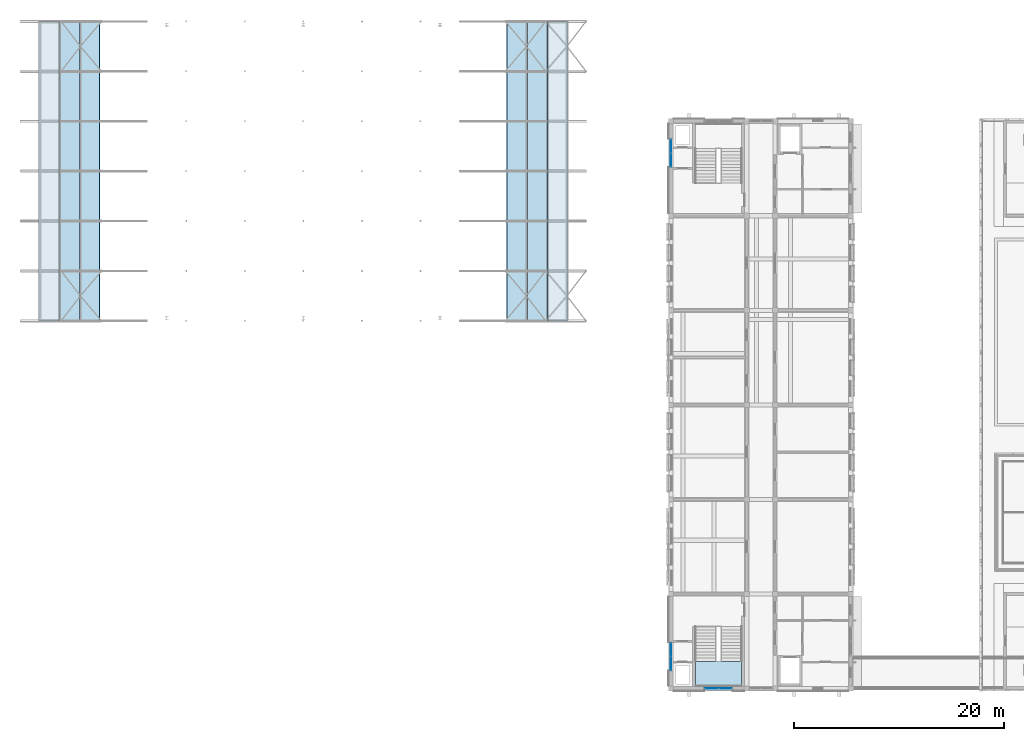
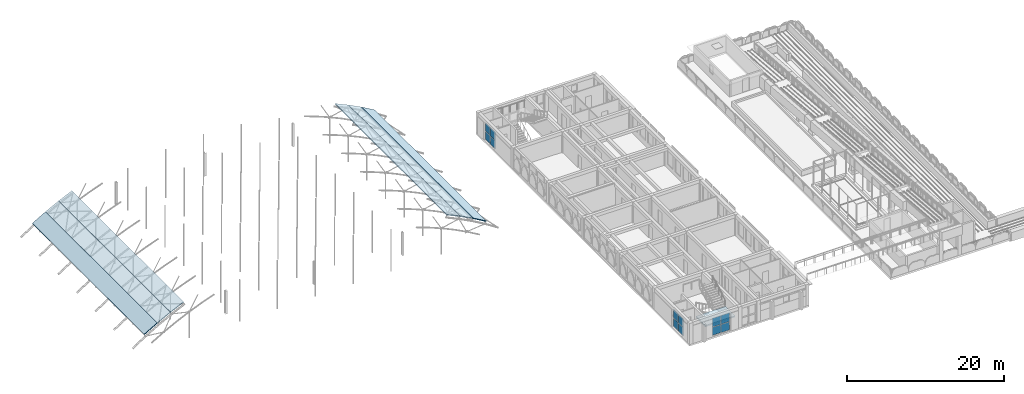
# One storey, part 26 of 50: 12 plates, 7 slabs, 4 elements without a shape of their own.
"""IFC4 building model written with IfcOpenShell, lengths in metres."""

from ifc_helpers import new_model, si_unit, direction, frame, origin, origin_2d, place, context, subcontext, project, spatial, polyline, rectangle, outline, extrude, material, layer, layer_set, type_object, element, aggregate, save


model = new_model("IFC4")

# Units and contexts
model_context = context("Model", 3, precision=1e-05, world=origin(), true_north=direction((0.0, 1.0)))
body_context = subcontext(model_context, "Body", "Model", "MODEL_VIEW")
ifc_project = project(units=[si_unit("LENGTHUNIT", "METRE"), si_unit("AREAUNIT", "SQUARE_METRE"), si_unit("VOLUMEUNIT", "CUBIC_METRE"), si_unit("PLANEANGLEUNIT", "RADIAN"), si_unit("MASSUNIT", "GRAM", prefix="KILO")], contexts=[model_context])

# Site, building, storey
site_placement = place(None, origin())
site = spatial("IfcSite", under=ifc_project, at=site_placement, CompositionType="ELEMENT")
building_placement = place(site_placement, origin())
building = spatial("IfcBuilding", under=site, at=building_placement, Name="Elbe Cascade School", CompositionType="ELEMENT")
storey_placement = place(building_placement, frame((0.0, 0.0, 15.300048828125)))
storey = spatial("IfcBuildingStorey", under=building, at=storey_placement, Name="L04", CompositionType="ELEMENT", Elevation=15.300048828125)

# Stair, slab
ifc_material_1 = material(Name="Concrete C30/37", Category="concrete")
stair_type = type_object("IfcStairType", Name="Bar stair RC 150", PredefinedType="HALF_TURN_STAIR", material=ifc_material_1)
stair_placement = place(storey_placement, origin())
stair = element("IfcStair", 1, at=stair_placement, inside=storey, type_object=stair_type, Name="Stair A4.S", PredefinedType="HALF_TURN_STAIR")
ifc_material_2 = material(Name="Concrete C30/37", Category="concrete")
ifc_layer_1 = layer(ifc_material_2, 0.199951171875)
ifc_layer_set_1 = layer_set([ifc_layer_1], Name="Concrete C30/37")
slab_type_1 = type_object("IfcSlabType", Name="Bar stair landing RC 200", PredefinedType="LANDING", material=ifc_layer_set_1)
slab_1_placement = place(storey_placement, frame((0.0, 0.0, 1.599853515625)))
slab_1 = element("IfcSlab", 2, at=slab_1_placement, type_object=slab_type_1, Name="ST3 landing 1", PredefinedType="LANDING", context=body_context, shape_type="SweptSolid", body=[
    extrude(outline(polyline([(71.300048828125, 6.179931640625), (75.699951171875, 6.179931640625), (75.699951171875, 8.60009765625), (71.300048828125, 8.60009765625), (71.300048828125, 6.179931640625)])), origin(), (0.0, 0.0, 1.0), 0.2001953125),
])
aggregate(stair, [slab_1])

# Curtain wall, plates
ifc_material_3 = material(Name="Aluminium frame with double glazing, bronze anodised", Category="aluminium")
ifc_layer_2 = layer(ifc_material_3, 0.159912109375)
ifc_layer_set_2 = layer_set([ifc_layer_2], Name="Aluminium frame with double glazing, bronze anodised")
curtain_wall_type = type_object("IfcCurtainWallType", Name="Bars envelope Curtain wall, aluminium, bronze anodised, storey-high slot", PredefinedType="NOTDEFINED", material=ifc_layer_set_2)
curtain_wall_1_placement = place(storey_placement, origin())
curtain_wall_1 = element("IfcCurtainWall", 3, at=curtain_wall_1_placement, inside=storey, type_object=curtain_wall_type, Name="Curtain wall CW4 A.L04.w1", PredefinedType="NOTDEFINED")
ifc_material_4 = material(Name="Glass - double glazed low-E", Category="glass")
ifc_layer_3 = layer(ifc_material_4, 0.028076171875)
ifc_layer_set_3 = layer_set([ifc_layer_3], Name="Glass - double glazed low-E")
plate_type = type_object("IfcPlateType", Name="Bars envelope Curtain wall glazing panel 28 mm, double glazed, storey-high slot", PredefinedType="CURTAIN_PANEL", material=ifc_layer_set_3)
plate_1_placement = place(storey_placement, frame((69.0, 8.3798828125, 0.06005859375), z_axis=(0.0, 0.0, 1.0), x_axis=(0.0, 1.0, 0.0)))
plate_1 = element("IfcPlate", 4, at=plate_1_placement, type_object=plate_type, Name="CW4 panel 1.1", PredefinedType="CURTAIN_PANEL", context=body_context, shape_type="SweptSolid", body=[
    extrude(rectangle(XDim=1.260009765625, YDim=0.028076171875, at=origin_2d()), origin(), (0.0, 0.0, 1.0), 1.260009765625),
])
plate_2_placement = place(storey_placement, frame((69.0, 8.3798828125, 1.3798828125), z_axis=(0.0, 0.0, 1.0), x_axis=(0.0, 1.0, 0.0)))
plate_2 = element("IfcPlate", 5, at=plate_2_placement, type_object=plate_type, Name="CW4 panel 1.2", PredefinedType="CURTAIN_PANEL", context=body_context, shape_type="SweptSolid", body=[
    extrude(rectangle(XDim=1.260009765625, YDim=0.028076171875, at=origin_2d()), origin(), (0.0, 0.0, 1.0), 1.31005859375),
])
plate_3_placement = place(storey_placement, frame((69.0, 9.699951171875, 0.06005859375), z_axis=(0.0, 0.0, 1.0), x_axis=(0.0, 1.0, 0.0)))
plate_3 = element("IfcPlate", 6, at=plate_3_placement, type_object=plate_type, Name="CW4 panel 2.1", PredefinedType="CURTAIN_PANEL", context=body_context, shape_type="SweptSolid", body=[
    extrude(rectangle(XDim=1.260009765625, YDim=0.028076171875, at=origin_2d()), origin(), (0.0, 0.0, 1.0), 1.260009765625),
])
plate_4_placement = place(storey_placement, frame((69.0, 9.699951171875, 1.3798828125), z_axis=(0.0, 0.0, 1.0), x_axis=(0.0, 1.0, 0.0)))
plate_4 = element("IfcPlate", 7, at=plate_4_placement, type_object=plate_type, Name="CW4 panel 2.2", PredefinedType="CURTAIN_PANEL", context=body_context, shape_type="SweptSolid", body=[
    extrude(rectangle(XDim=1.260009765625, YDim=0.028076171875, at=origin_2d()), origin(), (0.0, 0.0, 1.0), 1.31005859375),
])
aggregate(curtain_wall_1, [plate_1, plate_2, plate_3, plate_4])

curtain_wall_2_placement = place(storey_placement, origin())
curtain_wall_2 = element("IfcCurtainWall", 8, at=curtain_wall_2_placement, inside=storey, type_object=curtain_wall_type, Name="Curtain wall CW4 A.L04.w6", PredefinedType="NOTDEFINED")
plate_5_placement = place(storey_placement, frame((69.0, 56.300048828125, 0.06005859375), z_axis=(0.0, 0.0, 1.0), x_axis=(0.0, 1.0, 0.0)))
plate_5 = element("IfcPlate", 9, at=plate_5_placement, type_object=plate_type, Name="CW4 panel 1.1", PredefinedType="CURTAIN_PANEL", context=body_context, shape_type="SweptSolid", body=[
    extrude(rectangle(XDim=1.260009765625, YDim=0.028076171875, at=origin_2d()), origin(), (0.0, 0.0, 1.0), 1.260009765625),
])
plate_6_placement = place(storey_placement, frame((69.0, 56.300048828125, 1.3798828125), z_axis=(0.0, 0.0, 1.0), x_axis=(0.0, 1.0, 0.0)))
plate_6 = element("IfcPlate", 10, at=plate_6_placement, type_object=plate_type, Name="CW4 panel 1.2", PredefinedType="CURTAIN_PANEL", context=body_context, shape_type="SweptSolid", body=[
    extrude(rectangle(XDim=1.260009765625, YDim=0.028076171875, at=origin_2d()), origin(), (0.0, 0.0, 1.0), 1.31005859375),
])
plate_7_placement = place(storey_placement, frame((69.0, 57.6201171875, 0.06005859375), z_axis=(0.0, 0.0, 1.0), x_axis=(0.0, 1.0, 0.0)))
plate_7 = element("IfcPlate", 11, at=plate_7_placement, type_object=plate_type, Name="CW4 panel 2.1", PredefinedType="CURTAIN_PANEL", context=body_context, shape_type="SweptSolid", body=[
    extrude(rectangle(XDim=1.260009765625, YDim=0.028076171875, at=origin_2d()), origin(), (0.0, 0.0, 1.0), 1.260009765625),
])
plate_8_placement = place(storey_placement, frame((69.0, 57.6201171875, 1.3798828125), z_axis=(0.0, 0.0, 1.0), x_axis=(0.0, 1.0, 0.0)))
plate_8 = element("IfcPlate", 12, at=plate_8_placement, type_object=plate_type, Name="CW4 panel 2.2", PredefinedType="CURTAIN_PANEL", context=body_context, shape_type="SweptSolid", body=[
    extrude(rectangle(XDim=1.260009765625, YDim=0.028076171875, at=origin_2d()), origin(), (0.0, 0.0, 1.0), 1.31005859375),
])
aggregate(curtain_wall_2, [plate_5, plate_6, plate_7, plate_8])

curtain_wall_3_placement = place(storey_placement, origin())
curtain_wall_3 = element("IfcCurtainWall", 13, at=curtain_wall_3_placement, inside=storey, type_object=curtain_wall_type, Name="Curtain wall CW4 A.L04.s1", PredefinedType="NOTDEFINED")
plate_9_placement = place(storey_placement, frame((74.159912109375, 6.0, 0.06005859375), z_axis=(0.0, 0.0, 1.0), x_axis=(-1.0, 0.0, 0.0)))
plate_9 = element("IfcPlate", 14, at=plate_9_placement, type_object=plate_type, Name="CW4 panel 1.1", PredefinedType="CURTAIN_PANEL", context=body_context, shape_type="SweptSolid", body=[
    extrude(rectangle(XDim=1.260009765625, YDim=0.028076171875, at=origin_2d()), origin(), (0.0, 0.0, 1.0), 1.260009765625),
])
plate_10_placement = place(storey_placement, frame((74.159912109375, 6.0, 1.3798828125), z_axis=(0.0, 0.0, 1.0), x_axis=(-1.0, 0.0, 0.0)))
plate_10 = element("IfcPlate", 15, at=plate_10_placement, type_object=plate_type, Name="CW4 panel 1.2", PredefinedType="CURTAIN_PANEL", context=body_context, shape_type="SweptSolid", body=[
    extrude(rectangle(XDim=1.260009765625, YDim=0.028076171875, at=origin_2d()), origin(), (0.0, 0.0, 1.0), 1.360107421875),
])
plate_11_placement = place(storey_placement, frame((72.840087890625, 6.0, 0.06005859375), z_axis=(0.0, 0.0, 1.0), x_axis=(-1.0, 0.0, 0.0)))
plate_11 = element("IfcPlate", 16, at=plate_11_placement, type_object=plate_type, Name="CW4 panel 2.1", PredefinedType="CURTAIN_PANEL", context=body_context, shape_type="SweptSolid", body=[
    extrude(rectangle(XDim=1.260009765625, YDim=0.028076171875, at=origin_2d()), origin(), (0.0, 0.0, 1.0), 1.260009765625),
])
plate_12_placement = place(storey_placement, frame((72.840087890625, 6.0, 1.3798828125), z_axis=(0.0, 0.0, 1.0), x_axis=(-1.0, 0.0, 0.0)))
plate_12 = element("IfcPlate", 17, at=plate_12_placement, type_object=plate_type, Name="CW4 panel 2.2", PredefinedType="CURTAIN_PANEL", context=body_context, shape_type="SweptSolid", body=[
    extrude(rectangle(XDim=1.260009765625, YDim=0.028076171875, at=origin_2d()), origin(), (0.0, 0.0, 1.0), 1.360107421875),
])
aggregate(curtain_wall_3, [plate_9, plate_10, plate_11, plate_12])

# Slabs
ifc_material_5 = material(Name="Steel S350GD+Z insulated deck", Category="steel")
ifc_layer_4 = layer(ifc_material_5, 0.1201171875)
ifc_layer_set_4 = layer_set([ifc_layer_4], Name="Steel S350GD+Z insulated deck")
slab_type_2 = type_object("IfcSlabType", Name="Hall roof deck insulated steel sheet 120", PredefinedType="ROOF", material=ifc_layer_set_4)
slab_2_placement = place(storey_placement, frame((8.8017578125, 41.0, 1.220458984375), z_axis=(-0.502077562302, 0.0, 0.864822595353), x_axis=(0.864822595353, 0.0, 0.502077562302)))
element("IfcSlab", 18, at=slab_2_placement, inside=storey, type_object=slab_type_2, Name="Roof deck 2", PredefinedType="ROOF", context=body_context, shape_type="SweptSolid", body=[
    extrude(outline(polyline([(0.0, 0.0), (2.235827047524258, 0.0), (2.235827047524258, 28.5), (0.0, 28.5), (0.0, 0.0)])), origin(), (0.0, 0.0, -1.0), 0.1201171875),
])
slab_3_placement = place(storey_placement, frame((10.740234375, 41.0, 2.345703125), z_axis=(-0.461934418837, 0.0, 0.886914084167), x_axis=(0.886914084167, 0.0, 0.461934418837)))
element("IfcSlab", 19, at=slab_3_placement, inside=storey, type_object=slab_type_2, Name="Roof deck 3", PredefinedType="ROOF", context=body_context, shape_type="SweptSolid", body=[
    extrude(outline(polyline([(0.0, 0.0), (2.180136480543206, 0.0), (2.180136480543206, 28.499999999999996), (0.0, 28.499999999999996), (0.0, 0.0)])), origin(), (0.0, 0.0, -1.0), 0.1201171875),
])
for number, where, z_axis, x_axis, name in (
    (20, (12.6787109375, 41.0, 3.35498046875), (-0.421757016083, 0.0, 0.906708894511), (0.906708894511, 0.0, 0.421757016083), "Roof deck 4"),
    (21, (53.3876953125, 41.0, 4.25439453125), (0.421757016083, 0.0, 0.906708894511), (0.906708894511, 0.0, -0.421757016083), "Roof deck 25"),
):
    element("IfcSlab", number, at=place(storey_placement, frame(where, z_axis=z_axis, x_axis=x_axis)), inside=storey, type_object=slab_type_2, Name=name, PredefinedType="ROOF", context=body_context, shape_type="SweptSolid", body=[
        extrude(outline(polyline([(0.0, 0.0), (2.132540842718333, 0.0), (2.132540842718333, 28.5), (0.0, 28.5), (0.0, 0.0)])), origin(), (0.0, 0.0, -1.0), 0.1201171875),
    ])
slab_4_placement = place(storey_placement, frame((55.326171875, 41.0, 3.352783203125), z_axis=(0.461934418837, 0.0, 0.886914084167), x_axis=(0.886914084167, 0.0, -0.461934418837)))
element("IfcSlab", 22, at=slab_4_placement, inside=storey, type_object=slab_type_2, Name="Roof deck 26", PredefinedType="ROOF", context=body_context, shape_type="SweptSolid", body=[
    extrude(outline(polyline([(0.0, 0.0), (2.180136480543206, 0.0), (2.180136480543206, 28.499999999999996), (0.0, 28.499999999999996), (0.0, 0.0)])), origin(), (0.0, 0.0, -1.0), 0.1201171875),
])
slab_5_placement = place(storey_placement, frame((57.2646484375, 41.0, 2.343017578125), z_axis=(0.502077562302, 0.0, 0.864822595353), x_axis=(0.864822595353, 0.0, -0.502077562302)))
element("IfcSlab", 23, at=slab_5_placement, inside=storey, type_object=slab_type_2, Name="Roof deck 27", PredefinedType="ROOF", context=body_context, shape_type="SweptSolid", body=[
    extrude(outline(polyline([(0.0, 0.0), (2.235827047524258, 0.0), (2.235827047524258, 28.5), (0.0, 28.5), (0.0, 0.0)])), origin(), (0.0, 0.0, -1.0), 0.1201171875),
])

save(model, "model.ifc")
